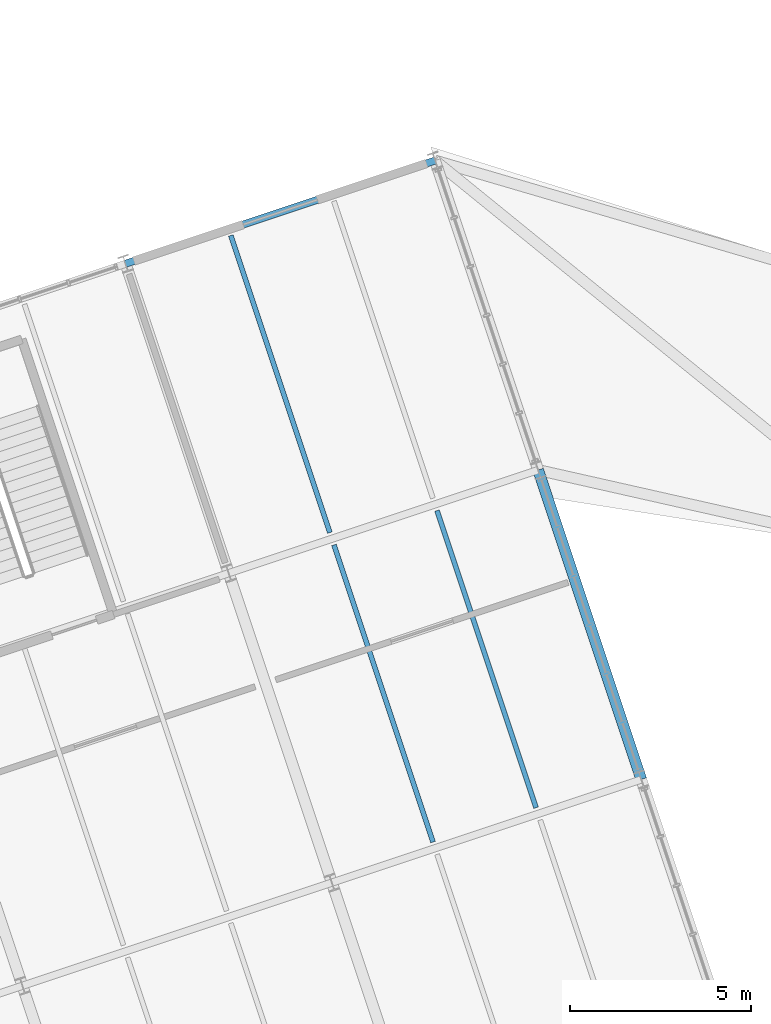
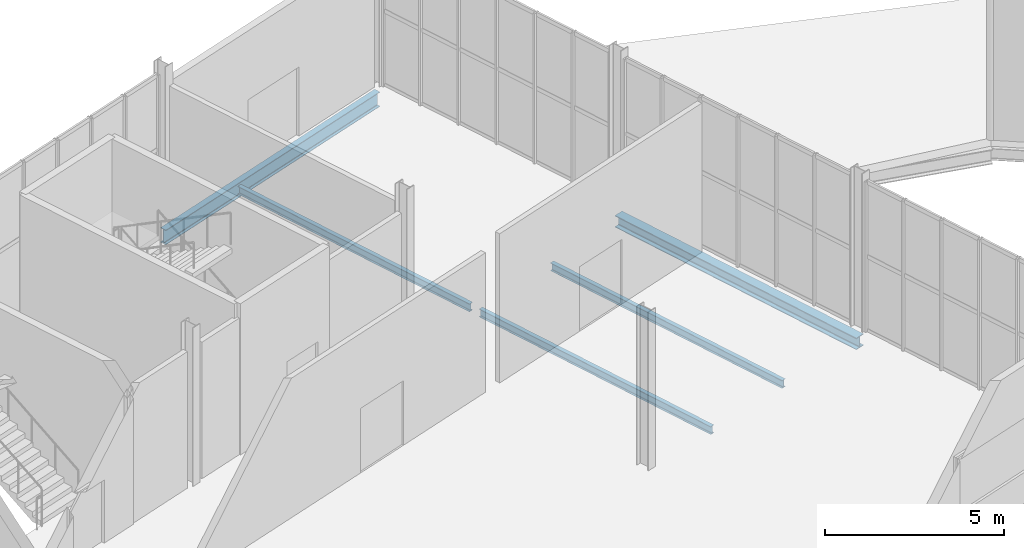
# One storey, part 82 of 158: 5 beams.
"""IFC4 building model written with IfcOpenShell, lengths in metres."""

from ifc_helpers import new_model, si_unit, derived_unit, direction, frame, origin, origin_2d, place, context, subcontext, project, spatial, i_section, extrude, material, material_profile, profile_set, type_object, element, save


model = new_model("IFC4")

# Units and contexts
model_context = context("Model", 3, precision=1e-05, world=origin(), true_north=direction((0.0, 1.0)))
body_context = subcontext(model_context, "Body", "Model", "MODEL_VIEW")
ifc_project = project(units=[si_unit("LENGTHUNIT", "METRE"), si_unit("AREAUNIT", "SQUARE_METRE"), si_unit("VOLUMEUNIT", "CUBIC_METRE"), si_unit("PLANEANGLEUNIT", "RADIAN"), si_unit("MASSUNIT", "GRAM", prefix="KILO"), si_unit("THERMODYNAMICTEMPERATUREUNIT", "KELVIN"), si_unit("TIMEUNIT", "SECOND"), derived_unit("THERMALTRANSMITTANCEUNIT", [(si_unit("MASSUNIT", "GRAM", prefix="KILO"), 1), (si_unit("THERMODYNAMICTEMPERATUREUNIT", "KELVIN"), -1), (si_unit("TIMEUNIT", "SECOND"), -3)])], contexts=[model_context])

# Site, building, storey
site_placement = place(None, origin())
site = spatial("IfcSite", under=ifc_project, at=site_placement, CompositionType="ELEMENT")
building_placement = place(site_placement, origin())
building = spatial("IfcBuilding", under=site, at=building_placement, Name="Cambertide Market Hall", CompositionType="ELEMENT")
storey_placement = place(building_placement, origin())
storey = spatial("IfcBuildingStorey", under=building, at=storey_placement, Name="L01", CompositionType="ELEMENT", Elevation=0.0)

# Beams
ifc_material_1 = material(Name="Steel S355", Category="steel")
ifc_material_profile_1 = material_profile(ifc_material_1, i_section(OverallWidth=0.300048828125, OverallDepth=0.39990234375, WebThickness=0.013427734375, FlangeThickness=0.02392578125, FilletRadius=0.027099609375, at=origin_2d()), Name="HEB 400")
ifc_profile_set_1 = profile_set([ifc_material_profile_1], Name="Steel S355")
beam_type_1 = type_object("IfcBeamType", Name="Steel Girder HEB 400", PredefinedType="BEAM", material=ifc_profile_set_1)
beam_1_placement = place(storey_placement, frame((162.9208984375, 40.46044921875, -0.5), z_axis=(-0.3162196279, 0.948686010717, 0.0), x_axis=(-0.948686010717, -0.3162196279, 0.0)))
element("IfcBeam", 1, at=beam_1_placement, inside=storey, type_object=beam_type_1, Name="Level 1 Beam BM-V3V-L01-8-2", PredefinedType="BEAM", context=body_context, shape_type="SweptSolid", body=[
    extrude(i_section(OverallWidth=0.300048828125, OverallDepth=0.39990234375, WebThickness=0.013427734375, FlangeThickness=0.02392578125, FilletRadius=0.027099609375, at=origin_2d()), origin(), (0.0, 0.0, 1.0), 9.0),
])
ifc_material_2 = material(Name="Steel S355", Category="steel")
ifc_material_profile_2 = material_profile(ifc_material_2, i_section(OverallWidth=0.199951171875, OverallDepth=0.5, WebThickness=0.01025390625, FlangeThickness=0.01611328125, FilletRadius=0.02099609375, at=origin_2d()), Name="IPE 500")
ifc_profile_set_2 = profile_set([ifc_material_profile_2], Name="Steel S355")
beam_type_2 = type_object("IfcBeamType", Name="Steel Girder IPE 500", PredefinedType="BEAM", material=ifc_profile_set_2)
beam_2_placement = place(storey_placement, frame((148.690673828125, 54.690673828125, -0.550048828125), z_axis=(0.948680585407, 0.316235903831, 0.0), x_axis=(-0.316235903831, 0.948680585407, 0.0)))
element("IfcBeam", 2, at=beam_2_placement, inside=storey, type_object=beam_type_2, Name="Level 1 Beam BM-V3U-L01-7-4", PredefinedType="BEAM", context=body_context, shape_type="SweptSolid", body=[
    extrude(i_section(OverallWidth=0.199951171875, OverallDepth=0.5, WebThickness=0.01025390625, FlangeThickness=0.01611328125, FilletRadius=0.02099609375, at=origin_2d()), origin(), (0.0, 0.0, 1.0), 9.000244140625),
])
ifc_material_3 = material(Name="Steel S275", Category="steel")
ifc_material_profile_3 = material_profile(ifc_material_3, i_section(OverallWidth=0.135009765625, OverallDepth=0.27001953125, WebThickness=0.006591796875, FlangeThickness=0.01025390625, FilletRadius=0.014892578125, at=origin_2d()), Name="IPE 270")
ifc_profile_set_3 = profile_set([ifc_material_profile_3], Name="Steel S275")
beam_type_3 = type_object("IfcBeamType", Name="Steel Secondary Joist IPE 270", PredefinedType="JOIST", material=ifc_profile_set_3)
for number, where, z_axis, x_axis, name in (
    (3, (157.171875, 38.73388671875, -0.43505859375), (-0.316227766017, 0.948683298051, 0.0), (-0.948683298051, -0.316227766017, 0.0), "Level 1 Joist JS-V3-L01-7-2-1"),
    (4, (160.01806640625, 39.6826171875, -0.43505859375), (-0.316227766017, 0.948683298051, 0.0), (-0.948683298051, -0.316227766017, 0.0), "Level 1 Joist JS-V3-L01-7-2-2"),
):
    element("IfcBeam", number, at=place(storey_placement, frame(where, z_axis=z_axis, x_axis=x_axis)), inside=storey, type_object=beam_type_3, Name=name, PredefinedType="JOIST", context=body_context, shape_type="SweptSolid", body=[
        extrude(i_section(OverallWidth=0.135009765625, OverallDepth=0.27001953125, WebThickness=0.006591796875, FlangeThickness=0.01025390625, FilletRadius=0.014892578125, at=origin_2d()), origin(), (0.0, 0.0, 1.0), 8.639892578125),
    ])
beam_3_placement = place(storey_placement, frame((154.325927734375, 47.27197265625, -0.43505859375), z_axis=(-0.316219289033, 0.94868612367, 0.0), x_axis=(-0.94868612367, -0.316219289033, 0.0)))
element("IfcBeam", 5, at=beam_3_placement, inside=storey, type_object=beam_type_3, Name="Level 1 Joist JS-V3-L01-7-3-1", PredefinedType="JOIST", context=body_context, shape_type="SweptSolid", body=[
    extrude(i_section(OverallWidth=0.135009765625, OverallDepth=0.27001953125, WebThickness=0.006591796875, FlangeThickness=0.01025390625, FilletRadius=0.014892578125, at=origin_2d()), origin(), (0.0, 0.0, 1.0), 8.64013671875),
])

save(model, "model.ifc")
